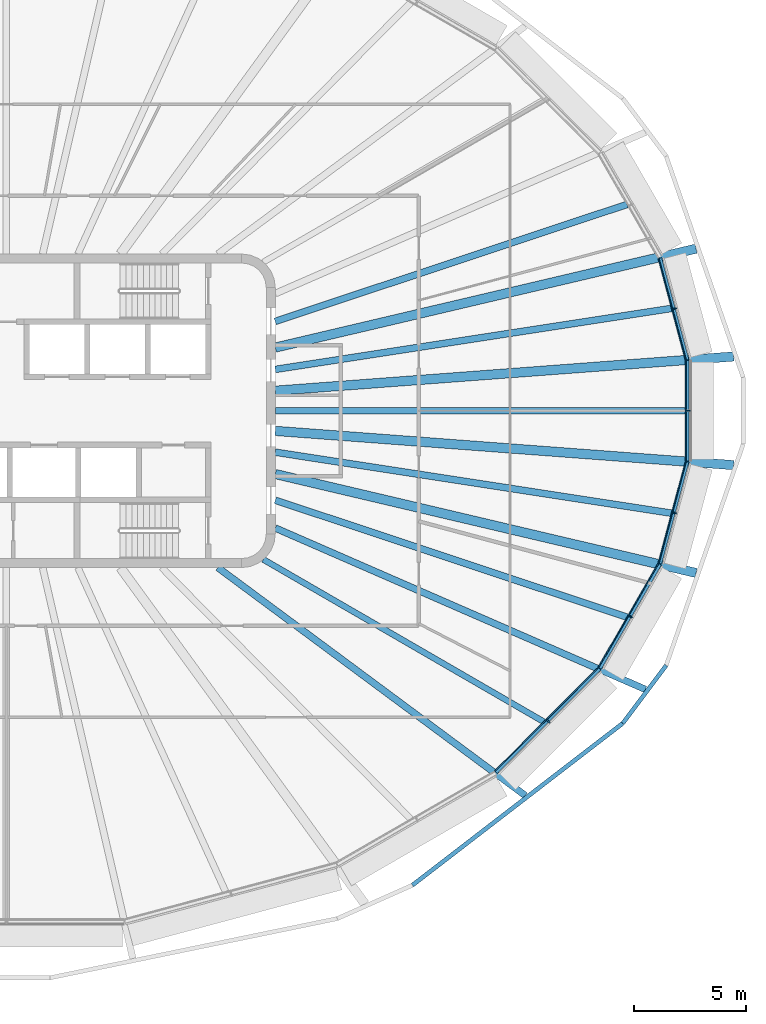
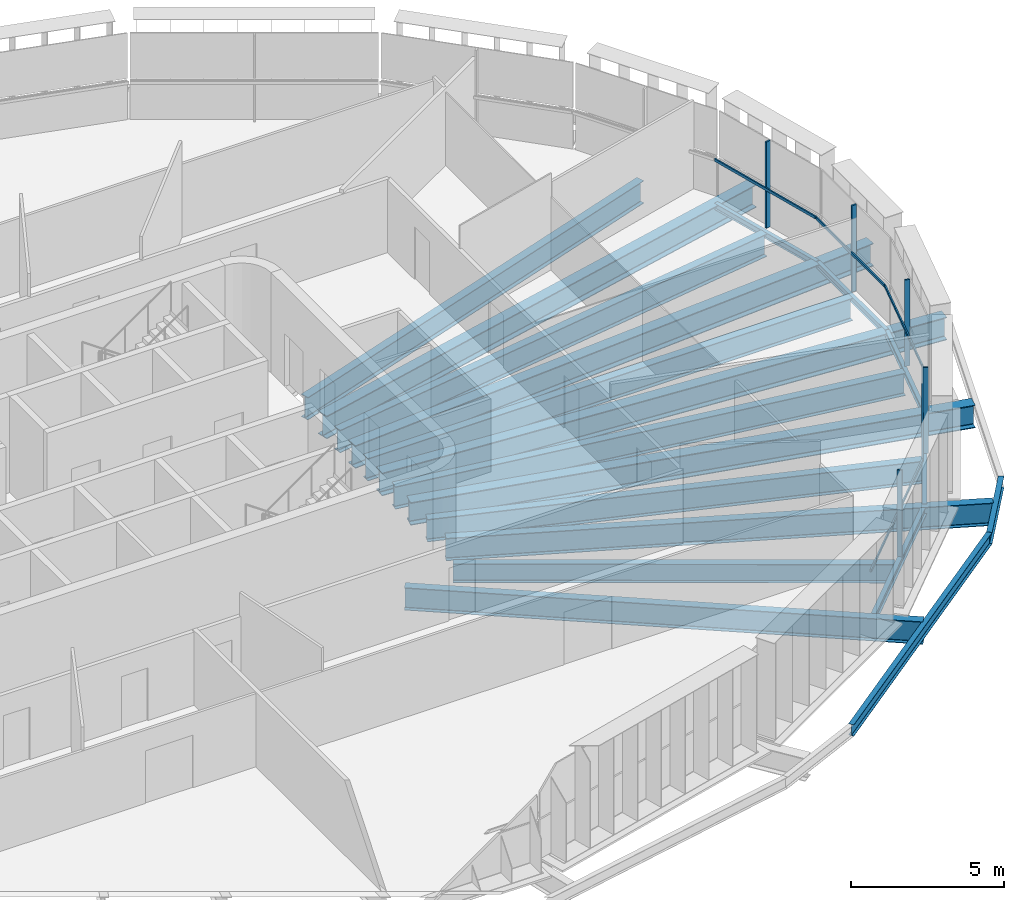
# One storey, part 4 of 20: 19 beams, 10 members, 5 elements without a shape of their own.
"""IFC4 building model written with IfcOpenShell, lengths in metres."""

from ifc_helpers import new_model, si_unit, direction, frame, origin, origin_2d, place, context, subcontext, project, spatial, rectangle, i_section, extrude, material, layer, layer_set, material_profile, profile_set, type_object, element, aggregate, save


model = new_model("IFC4")

# Units and contexts
model_context = context("Model", 3, precision=1e-05, world=origin(), true_north=direction((0.0, 1.0)))
body_context = subcontext(model_context, "Body", "Model", "MODEL_VIEW")
ifc_project = project(units=[si_unit("LENGTHUNIT", "METRE"), si_unit("AREAUNIT", "SQUARE_METRE"), si_unit("VOLUMEUNIT", "CUBIC_METRE"), si_unit("PLANEANGLEUNIT", "RADIAN"), si_unit("MASSUNIT", "GRAM", prefix="KILO")], contexts=[model_context])

# Site, building, storey
site_placement = place(None, origin())
site = spatial("IfcSite", under=ifc_project, at=site_placement, CompositionType="ELEMENT")
building_placement = place(site_placement, origin())
building = spatial("IfcBuilding", under=site, at=building_placement, Name="Sahrelin Media Tower", CompositionType="ELEMENT")
storey_placement = place(building_placement, frame((0.0, 0.0, 221.60009765625)))
storey = spatial("IfcBuildingStorey", under=building, at=storey_placement, Name="L47", CompositionType="ELEMENT", Elevation=221.60009765625)

# Beams
ifc_material_1 = material(Name="Steel S355", Category="steel")
ifc_material_profile_1 = material_profile(ifc_material_1, i_section(OverallWidth=0.14599609375, OverallDepth=0.25146484375, WebThickness=0.006103515625, FlangeThickness=0.008544921875, FilletRadius=0.007568359375, at=origin_2d()), Name="UB 254x146x31")
ifc_profile_set_1 = profile_set([ifc_material_profile_1], Name="Steel S355")
beam_type_1 = type_object("IfcBeamType", Name="Edge beam EB1", PredefinedType="BEAM", material=ifc_profile_set_1)
beam_1_placement = place(storey_placement, frame((30.398193359375, 2.247802734375, -0.27587890625), z_axis=(0.0, -1.0, 0.0), x_axis=(1.0, 0.0, 0.0)))
element("IfcBeam", 1, at=beam_1_placement, inside=storey, type_object=beam_type_1, Name="Edge beam L47-01", PredefinedType="BEAM", context=body_context, shape_type="SweptSolid", body=[
    extrude(i_section(OverallWidth=0.14599609375, OverallDepth=0.25146484375, WebThickness=0.006103515625, FlangeThickness=0.008544921875, FilletRadius=0.007568359375, at=origin_2d()), origin(), (0.0, 0.0, 1.0), 4.49560546875),
])
for number, where, z_axis, x_axis, name in (
    (2, (30.394287109375, -2.276611328125, -0.27587890625), (-0.258776720271, -0.9659371662, 0.0), (0.9659371662, -0.258776720271, 0.0), "Edge beam L47-02"),
    (3, (29.1767578125, 6.8212890625, -0.27587890625), (0.258776720271, -0.9659371662, 0.0), (0.9659371662, 0.258776720271, 0.0), "Edge beam L47-24"),
):
    element("IfcBeam", number, at=place(storey_placement, frame(where, z_axis=z_axis, x_axis=x_axis)), inside=storey, type_object=beam_type_1, Name=name, PredefinedType="BEAM", context=body_context, shape_type="SweptSolid", body=[
        extrude(i_section(OverallWidth=0.14599609375, OverallDepth=0.25146484375, WebThickness=0.006103515625, FlangeThickness=0.008544921875, FilletRadius=0.007568359375, at=origin_2d()), origin(), (0.0, 0.0, 1.0), 4.704833984375),
    ])
ifc_material_profile_2 = material_profile(ifc_material_1, i_section(OverallWidth=0.1650390625, OverallDepth=0.303466796875, WebThickness=0.006103515625, FlangeThickness=0.01025390625, FilletRadius=0.0087890625, at=origin_2d()), Name="UB 305x165x40")
ifc_profile_set_2 = profile_set([ifc_material_profile_2], Name="Steel S355")
beam_type_2 = type_object("IfcBeamType", Name="Edge beam EB2", PredefinedType="BEAM", material=ifc_profile_set_2)
beam_2_placement = place(storey_placement, frame((29.165771484375, -6.847900390625, -0.3017578125), z_axis=(-0.500036390221, -0.866004392861, 0.0), x_axis=(0.866004392861, -0.500036390221, 0.0)))
element("IfcBeam", 4, at=beam_2_placement, inside=storey, type_object=beam_type_2, Name="Edge beam L47-03", PredefinedType="BEAM", context=body_context, shape_type="SweptSolid", body=[
    extrude(i_section(OverallWidth=0.1650390625, OverallDepth=0.303466796875, WebThickness=0.006103515625, FlangeThickness=0.01025390625, FilletRadius=0.0087890625, at=origin_2d()), origin(), (0.0, 0.0, 1.0), 5.36279296875),
])
ifc_material_profile_3 = material_profile(ifc_material_1, i_section(OverallWidth=0.17138671875, OverallDepth=0.35498046875, WebThickness=0.00732421875, FlangeThickness=0.011474609375, FilletRadius=0.01025390625, at=origin_2d()), Name="UB 356x171x51")
ifc_profile_set_3 = profile_set([ifc_material_profile_3], Name="Steel S355")
beam_type_3 = type_object("IfcBeamType", Name="Edge beam EB3", PredefinedType="BEAM", material=ifc_profile_set_3)
beam_3_placement = place(storey_placement, frame((26.466552734375, -11.51513671875, -0.32763671875), z_axis=(-0.707088087763, -0.707125474116, 0.0), x_axis=(0.707125474116, -0.707088087763, 0.0)))
element("IfcBeam", 5, at=beam_3_placement, inside=storey, type_object=beam_type_3, Name="Edge beam L47-04", PredefinedType="BEAM", context=body_context, shape_type="SweptSolid", body=[
    extrude(i_section(OverallWidth=0.17138671875, OverallDepth=0.35498046875, WebThickness=0.00732421875, FlangeThickness=0.011474609375, FilletRadius=0.01025390625, at=origin_2d()), origin(), (0.0, 0.0, 1.0), 6.5302734375),
])

# Curtain wall, member
ifc_material_2 = material(Name="Champagne anodised aluminium 6063-T6", Category="aluminium")
ifc_layer = layer(ifc_material_2, 0.14990234375)
ifc_layer_set = layer_set([ifc_layer], Name="Tower ribbon curtain wall")
curtain_wall_type = type_object("IfcCurtainWallType", Name="Tower ribbon curtain wall", PredefinedType="NOTDEFINED", material=ifc_layer_set)
curtain_wall_1_placement = place(storey_placement, frame((30.548095703125, 0.0, 0.0), z_axis=(0.0, 0.0, 1.0), x_axis=(1.0, 0.0, 0.0)))
curtain_wall_1 = element("IfcCurtainWall", 6, at=curtain_wall_1_placement, inside=storey, type_object=curtain_wall_type, Name="L47:CW:L47-00", PredefinedType="NOTDEFINED")
ifc_material_profile_4 = material_profile(ifc_material_2, rectangle(XDim=0.06005859375, YDim=0.175048828125, at=origin_2d()), Name="Mullion 60x175")
ifc_profile_set_4 = profile_set([ifc_material_profile_4], Name="Champagne anodised aluminium 6063-T6")
member_type_1 = type_object("IfcMemberType", Name="Mullion 60x175 CW1B", PredefinedType="MULLION", material=ifc_profile_set_4)
member_1_placement = place(storey_placement, frame((30.440673828125, 0.0, 0.0), z_axis=(0.0, 0.0, 1.0), x_axis=(0.0, 1.0, 0.0)))
member_1 = element("IfcMember", 7, at=member_1_placement, type_object=member_type_1, Name="L47:CWM:L47-00", PredefinedType="MULLION", context=body_context, shape_type="SweptSolid", body=[
    extrude(rectangle(XDim=0.06005859375, YDim=0.175048828125, at=origin_2d()), origin(), (0.0, 0.0, 1.0), 3.448486328125),
])

curtain_wall_2_placement = place(storey_placement, frame((29.930419921875, 4.587646484375, 0.0), z_axis=(0.0, 0.0, 1.0), x_axis=(1.0, 0.0, 0.0)))
curtain_wall_2 = element("IfcCurtainWall", 8, at=curtain_wall_2_placement, inside=storey, type_object=curtain_wall_type, Name="L47:CW:L47-01", PredefinedType="NOTDEFINED")
member_2_placement = place(storey_placement, frame((29.82666015625, 4.559814453125, 0.0), z_axis=(0.0, 0.0, 1.0), x_axis=(-0.258822416818, 0.965924922834, 0.0)))
member_2 = element("IfcMember", 9, at=member_2_placement, type_object=member_type_1, Name="L47:CWM:L47-01", PredefinedType="MULLION", context=body_context, shape_type="SweptSolid", body=[
    extrude(rectangle(XDim=0.06005859375, YDim=0.175048828125, at=origin_2d()), origin(), (0.0, 0.0, 1.0), 3.448486328125),
])

curtain_wall_3_placement = place(storey_placement, frame((24.263916015625, -13.929931640625, 0.0), z_axis=(0.0, 0.0, 1.0), x_axis=(1.0, 0.0, 0.0)))
curtain_wall_3 = element("IfcCurtainWall", 10, at=curtain_wall_3_placement, inside=storey, type_object=curtain_wall_type, Name="L47:CW:L47-21", PredefinedType="NOTDEFINED")
member_3_placement = place(storey_placement, frame((24.187744140625, -13.85400390625, 0.0), z_axis=(0.0, 0.0, 1.0), x_axis=(0.707114185953, 0.707099376343, 0.0)))
member_3 = element("IfcMember", 11, at=member_3_placement, type_object=member_type_1, Name="L47:CWM:L47-21", PredefinedType="MULLION", context=body_context, shape_type="SweptSolid", body=[
    extrude(rectangle(XDim=0.06005859375, YDim=0.175048828125, at=origin_2d()), origin(), (0.0, 0.0, 1.0), 3.448486328125),
])

curtain_wall_4_placement = place(storey_placement, frame((27.954833984375, -9.2451171875, 0.0), z_axis=(0.0, 0.0, 1.0), x_axis=(1.0, 0.0, 0.0)))
curtain_wall_4 = element("IfcCurtainWall", 12, at=curtain_wall_4_placement, inside=storey, type_object=curtain_wall_type, Name="L47:CW:L47-22", PredefinedType="NOTDEFINED")
member_4_placement = place(storey_placement, frame((27.86181640625, -9.19140625, 0.0), z_axis=(0.0, 0.0, 1.0), x_axis=(0.5, 0.866025403784, 0.0)))
member_4 = element("IfcMember", 13, at=member_4_placement, type_object=member_type_1, Name="L47:CWM:L47-22", PredefinedType="MULLION", context=body_context, shape_type="SweptSolid", body=[
    extrude(rectangle(XDim=0.06005859375, YDim=0.175048828125, at=origin_2d()), origin(), (0.0, 0.0, 1.0), 3.448486328125),
])

curtain_wall_5_placement = place(storey_placement, frame((29.930419921875, -4.587646484375, 0.0), z_axis=(0.0, 0.0, 1.0), x_axis=(1.0, 0.0, 0.0)))
curtain_wall_5 = element("IfcCurtainWall", 14, at=curtain_wall_5_placement, inside=storey, type_object=curtain_wall_type, Name="L47:CW:L47-23", PredefinedType="NOTDEFINED")
member_5_placement = place(storey_placement, frame((29.82666015625, -4.559814453125, 0.0), z_axis=(0.0, 0.0, 1.0), x_axis=(0.258822416818, 0.965924922834, 0.0)))
member_5 = element("IfcMember", 15, at=member_5_placement, type_object=member_type_1, Name="L47:CWM:L47-23", PredefinedType="MULLION", context=body_context, shape_type="SweptSolid", body=[
    extrude(rectangle(XDim=0.06005859375, YDim=0.175048828125, at=origin_2d()), origin(), (0.0, 0.0, 1.0), 3.448486328125),
])

# Beams
ifc_material_profile_5 = material_profile(ifc_material_1, i_section(OverallWidth=0.30322265625, OverallDepth=0.903076171875, WebThickness=0.01513671875, FlangeThickness=0.020263671875, FilletRadius=0.01904296875, at=origin_2d()), Name="UB 914x305x201")
ifc_profile_set_5 = profile_set([ifc_material_profile_5], Name="Steel S355")
beam_type_4 = type_object("IfcBeamType", Name="Radial primary beam PB11", PredefinedType="BEAM", material=ifc_profile_set_5)
beam_4_placement = place(storey_placement, frame((9.439697265625, -7.0, -0.6015625), z_axis=(0.803237858259, -0.59565841139, 0.0), x_axis=(0.59565841139, 0.803237858259, 0.0)))
element("IfcBeam", 16, at=beam_4_placement, inside=storey, type_object=beam_type_4, Name="Radial beam L47-21", PredefinedType="BEAM", context=body_context, shape_type="SweptSolid", body=[
    extrude(i_section(OverallWidth=0.30322265625, OverallDepth=0.903076171875, WebThickness=0.01513671875, FlangeThickness=0.020263671875, FilletRadius=0.01904296875, at=origin_2d()), origin(), (0.0, 0.0, 1.0), 17.08447265625),
])
beam_5_placement = place(storey_placement, frame((12.0, -5.232421875, -0.6015625), z_axis=(0.916652335259, -0.399685496691, 0.0), x_axis=(0.399685496691, 0.916652335259, 0.0)))
element("IfcBeam", 17, at=beam_5_placement, inside=storey, type_object=beam_type_4, Name="Radial beam L47-22", PredefinedType="BEAM", context=body_context, shape_type="SweptSolid", body=[
    extrude(i_section(OverallWidth=0.30322265625, OverallDepth=0.903076171875, WebThickness=0.01513671875, FlangeThickness=0.020263671875, FilletRadius=0.01904296875, at=origin_2d()), origin(), (0.0, 0.0, 1.0), 18.029296875),
])
ifc_material_profile_6 = material_profile(ifc_material_1, i_section(OverallWidth=0.41845703125, OverallDepth=0.911865234375, WebThickness=0.019287109375, FlangeThickness=0.031982421875, FilletRadius=0.024169921875, at=origin_2d()), Name="UB 914x419x343")
ifc_profile_set_6 = profile_set([ifc_material_profile_6], Name="Steel S355")
beam_type_5 = type_object("IfcBeamType", Name="Radial primary beam PB12", PredefinedType="BEAM", material=ifc_profile_set_6)
beam_6_placement = place(storey_placement, frame((12.0, 0.896484375, -0.60595703125), z_axis=(0.997220412151, 0.074508050505, 0.0), x_axis=(-0.074508050505, 0.997220412151, 0.0)))
element("IfcBeam", 18, at=beam_6_placement, inside=storey, type_object=beam_type_5, Name="Radial beam L47-01", PredefinedType="BEAM", context=body_context, shape_type="SweptSolid", body=[
    extrude(i_section(OverallWidth=0.41845703125, OverallDepth=0.911865234375, WebThickness=0.019287109375, FlangeThickness=0.031982421875, FilletRadius=0.024169921875, at=origin_2d()), origin(), (0.0, 0.0, 1.0), 20.518798828125),
])
for number, where, z_axis, x_axis, name in (
    (19, (12.0, 2.822021484375, -0.60595703125), (0.973448019774, 0.228908175471, 0.0), (-0.228908175471, 0.973448019774, 0.0), "Radial beam L47-02"),
    (20, (12.0, -2.822021484375, -0.60595703125), (0.973448019774, -0.228908175471, 0.0), (0.228908175471, 0.973448019774, 0.0), "Radial beam L47-23"),
):
    element("IfcBeam", number, at=place(storey_placement, frame(where, z_axis=z_axis, x_axis=x_axis)), inside=storey, type_object=beam_type_5, Name=name, PredefinedType="BEAM", context=body_context, shape_type="SweptSolid", body=[
        extrude(i_section(OverallWidth=0.41845703125, OverallDepth=0.911865234375, WebThickness=0.019287109375, FlangeThickness=0.031982421875, FilletRadius=0.024169921875, at=origin_2d()), origin(), (0.0, 0.0, 1.0), 19.298095703125),
    ])
beam_7_placement = place(storey_placement, frame((12.0, -0.896484375, -0.60595703125), z_axis=(0.997220412151, -0.074508050505, 0.0), x_axis=(0.074508050505, 0.997220412151, 0.0)))
element("IfcBeam", 21, at=beam_7_placement, inside=storey, type_object=beam_type_5, Name="Radial beam L47-24", PredefinedType="BEAM", context=body_context, shape_type="SweptSolid", body=[
    extrude(i_section(OverallWidth=0.41845703125, OverallDepth=0.911865234375, WebThickness=0.019287109375, FlangeThickness=0.031982421875, FilletRadius=0.024169921875, at=origin_2d()), origin(), (0.0, 0.0, 1.0), 20.518798828125),
])
ifc_material_profile_7 = material_profile(ifc_material_1, i_section(OverallWidth=0.30322265625, OverallDepth=0.903076171875, WebThickness=0.01513671875, FlangeThickness=0.020263671875, FilletRadius=0.01904296875, at=origin_2d()), Name="UB 914x305x201")
ifc_profile_set_7 = profile_set([ifc_material_profile_7], Name="Steel S355")
beam_type_6 = type_object("IfcBeamType", Name="Radial secondary beam SB11", PredefinedType="BEAM", material=ifc_profile_set_7)
beam_8_placement = place(storey_placement, frame((12.0, 1.84765625, -0.6015625), z_axis=(0.988354988982, 0.152165750927, 0.0), x_axis=(-0.152165750927, 0.988354988982, 0.0)))
element("IfcBeam", 22, at=beam_8_placement, inside=storey, type_object=beam_type_6, Name="Secondary beam L47-01", PredefinedType="BEAM", context=body_context, shape_type="SweptSolid", body=[
    extrude(i_section(OverallWidth=0.30322265625, OverallDepth=0.903076171875, WebThickness=0.01513671875, FlangeThickness=0.020263671875, FilletRadius=0.01904296875, at=origin_2d()), origin(), (0.0, 0.0, 1.0), 17.911865234375),
])
for number, where, z_axis, x_axis, name in (
    (23, (12.0, 3.990966796875, -0.6015625), (0.948898451787, 0.315581571381, 0.0), (-0.315581571381, 0.948898451787, 0.0), "Secondary beam L47-02"),
    (24, (12.0, -3.990966796875, -0.6015625), (0.948898451787, -0.315581571381, 0.0), (0.315581571381, 0.948898451787, 0.0), "Secondary beam L47-22"),
):
    element("IfcBeam", number, at=place(storey_placement, frame(where, z_axis=z_axis, x_axis=x_axis)), inside=storey, type_object=beam_type_6, Name=name, PredefinedType="BEAM", context=body_context, shape_type="SweptSolid", body=[
        extrude(i_section(OverallWidth=0.30322265625, OverallDepth=0.903076171875, WebThickness=0.01513671875, FlangeThickness=0.020263671875, FilletRadius=0.01904296875, at=origin_2d()), origin(), (0.0, 0.0, 1.0), 16.550048828125),
    ])
beam_9_placement = place(storey_placement, frame((12.0, -1.84765625, -0.6015625), z_axis=(0.988354988982, -0.152165750927, 0.0), x_axis=(0.152165750927, 0.988354988982, 0.0)))
element("IfcBeam", 25, at=beam_9_placement, inside=storey, type_object=beam_type_6, Name="Secondary beam L47-23", PredefinedType="BEAM", context=body_context, shape_type="SweptSolid", body=[
    extrude(i_section(OverallWidth=0.30322265625, OverallDepth=0.903076171875, WebThickness=0.01513671875, FlangeThickness=0.020263671875, FilletRadius=0.01904296875, at=origin_2d()), origin(), (0.0, 0.0, 1.0), 17.911865234375),
])
beam_10_placement = place(storey_placement, frame((12.0, 0.0, -0.6015625), z_axis=(1.0, 0.0, 0.0), x_axis=(0.0, 1.0, 0.0)))
element("IfcBeam", 26, at=beam_10_placement, inside=storey, type_object=beam_type_6, Name="Secondary beam L47-24", PredefinedType="BEAM", context=body_context, shape_type="SweptSolid", body=[
    extrude(i_section(OverallWidth=0.30322265625, OverallDepth=0.903076171875, WebThickness=0.01513671875, FlangeThickness=0.020263671875, FilletRadius=0.01904296875, at=origin_2d()), origin(), (0.0, 0.0, 1.0), 18.3251953125),
])
ifc_material_profile_8 = material_profile(ifc_material_1, i_section(OverallWidth=0.26513671875, OverallDepth=0.75390625, WebThickness=0.0126953125, FlangeThickness=0.017578125, FilletRadius=0.0166015625, at=origin_2d()), Name="UB 762x267x147")
ifc_profile_set_8 = profile_set([ifc_material_profile_8], Name="Steel S355")
beam_type_7 = type_object("IfcBeamType", Name="Radial secondary beam SB9", PredefinedType="BEAM", material=ifc_profile_set_8)
beam_11_placement = place(storey_placement, frame((11.46435546875, -6.634521484375, -0.527099609375), z_axis=(0.86550833259, -0.50089452604, 0.0), x_axis=(0.50089452604, 0.86550833259, 0.0)))
element("IfcBeam", 27, at=beam_11_placement, inside=storey, type_object=beam_type_7, Name="Secondary beam L47-21", PredefinedType="BEAM", context=body_context, shape_type="SweptSolid", body=[
    extrude(i_section(OverallWidth=0.26513671875, OverallDepth=0.75390625, WebThickness=0.0126953125, FlangeThickness=0.017578125, FilletRadius=0.0166015625, at=origin_2d()), origin(), (0.0, 0.0, 1.0), 14.46240234375),
])
ifc_material_profile_9 = material_profile(ifc_material_1, i_section(OverallWidth=0.1904296875, OverallDepth=0.45703125, WebThickness=0.009033203125, FlangeThickness=0.014404296875, FilletRadius=0.01025390625, at=origin_2d()), Name="UB 457x191x74")
ifc_profile_set_9 = profile_set([ifc_material_profile_9], Name="Steel S355")
beam_type_8 = type_object("IfcBeamType", Name="Tie chord TC5", PredefinedType="BEAM", material=ifc_profile_set_9)
beam_12_placement = place(storey_placement, frame((18.12060546875, -21.177490234375, -0.378662109375), z_axis=(0.792436365958, 0.609954593316, 0.0), x_axis=(-0.609954593316, 0.792436365958, 0.0)))
element("IfcBeam", 28, at=beam_12_placement, inside=storey, type_object=beam_type_8, Name="Tie chord L47-21", PredefinedType="BEAM", context=body_context, shape_type="SweptSolid", body=[
    extrude(i_section(OverallWidth=0.1904296875, OverallDepth=0.45703125, WebThickness=0.009033203125, FlangeThickness=0.014404296875, FilletRadius=0.01025390625, at=origin_2d()), origin(), (0.0, 0.0, 1.0), 11.853759765625),
])
beam_13_placement = place(storey_placement, frame((27.513916015625, -13.947265625, -0.378662109375), z_axis=(0.600036323941, 0.799972755755, 0.0), x_axis=(-0.799972755755, 0.600036323941, 0.0)))
element("IfcBeam", 29, at=beam_13_placement, inside=storey, type_object=beam_type_8, Name="Tie chord L47-22", PredefinedType="BEAM", context=body_context, shape_type="SweptSolid", body=[
    extrude(i_section(OverallWidth=0.1904296875, OverallDepth=0.45703125, WebThickness=0.009033203125, FlangeThickness=0.014404296875, FilletRadius=0.01025390625, at=origin_2d()), origin(), (0.0, 0.0, 1.0), 3.22607421875),
])

# Member
ifc_material_profile_10 = material_profile(ifc_material_2, rectangle(XDim=0.050048828125, YDim=0.110107421875, at=origin_2d()), Name="Transom 50x110")
ifc_profile_set_10 = profile_set([ifc_material_profile_10], Name="Champagne anodised aluminium 6063-T6")
member_type_2 = type_object("IfcMemberType", Name="Transom 50x110 CW1B", PredefinedType="USERDEFINED", material=ifc_profile_set_10)
member_6_placement = place(storey_placement, frame((30.328125, -2.232177734375, 1.599853515625), z_axis=(0.0, 1.0, 0.0), x_axis=(-1.0, 0.0, 0.0)))
member_6 = element("IfcMember", 30, at=member_6_placement, type_object=member_type_2, Name="L47:CWT:L47-00", ObjectType="TRANSOM", PredefinedType="USERDEFINED", context=body_context, shape_type="SweptSolid", body=[
    extrude(rectangle(XDim=0.050048828125, YDim=0.110107421875, at=origin_2d()), origin(), (0.0, 0.0, 1.0), 4.46435546875),
])

aggregate(curtain_wall_1, [member_1, member_6])

member_7_placement = place(storey_placement, frame((30.32275390625, 2.273681640625, 1.599853515625), z_axis=(-0.258849236455, 0.965917736035, 0.0), x_axis=(-0.965917736035, -0.258849236455, 0.0)))
member_7 = element("IfcMember", 31, at=member_7_placement, type_object=member_type_2, Name="L47:CWT:L47-01", ObjectType="TRANSOM", PredefinedType="USERDEFINED", context=body_context, shape_type="SweptSolid", body=[
    extrude(rectangle(XDim=0.050048828125, YDim=0.110107421875, at=origin_2d()), origin(), (0.0, 0.0, 1.0), 4.67333984375),
])

aggregate(curtain_wall_2, [member_2, member_7])

member_8_placement = place(storey_placement, frame((21.810546875, -16.072021484375, 1.599853515625), z_axis=(0.707125564488, 0.707087997386, 0.0), x_axis=(-0.707087997386, 0.707125564488, 0.0)))
member_8 = element("IfcMember", 32, at=member_8_placement, type_object=member_type_2, Name="L47:CWT:L47-21", ObjectType="TRANSOM", PredefinedType="USERDEFINED", context=body_context, shape_type="SweptSolid", body=[
    extrude(rectangle(XDim=0.050048828125, YDim=0.110107421875, at=origin_2d()), origin(), (0.0, 0.0, 1.0), 6.498779296875),
])

aggregate(curtain_wall_3, [member_3, member_8])

member_9_placement = place(storey_placement, frame((26.431396484375, -11.443603515625, 1.599853515625), z_axis=(0.500005210312, 0.866022395588, 0.0), x_axis=(-0.866022395588, 0.500005210312, 0.0)))
member_9 = element("IfcMember", 33, at=member_9_placement, type_object=member_type_2, Name="L47:CWT:L47-22", ObjectType="TRANSOM", PredefinedType="USERDEFINED", context=body_context, shape_type="SweptSolid", body=[
    extrude(rectangle(XDim=0.050048828125, YDim=0.110107421875, at=origin_2d()), origin(), (0.0, 0.0, 1.0), 5.33154296875),
])

aggregate(curtain_wall_4, [member_4, member_9])

member_10_placement = place(storey_placement, frame((29.113037109375, -6.787841796875, 1.599853515625), z_axis=(0.258849236455, 0.965917736035, 0.0), x_axis=(-0.965917736035, 0.258849236455, 0.0)))
member_10 = element("IfcMember", 34, at=member_10_placement, type_object=member_type_2, Name="L47:CWT:L47-23", ObjectType="TRANSOM", PredefinedType="USERDEFINED", context=body_context, shape_type="SweptSolid", body=[
    extrude(rectangle(XDim=0.050048828125, YDim=0.110107421875, at=origin_2d()), origin(), (0.0, 0.0, 1.0), 4.67333984375),
])

aggregate(curtain_wall_5, [member_5, member_10])

save(model, "model.ifc")
